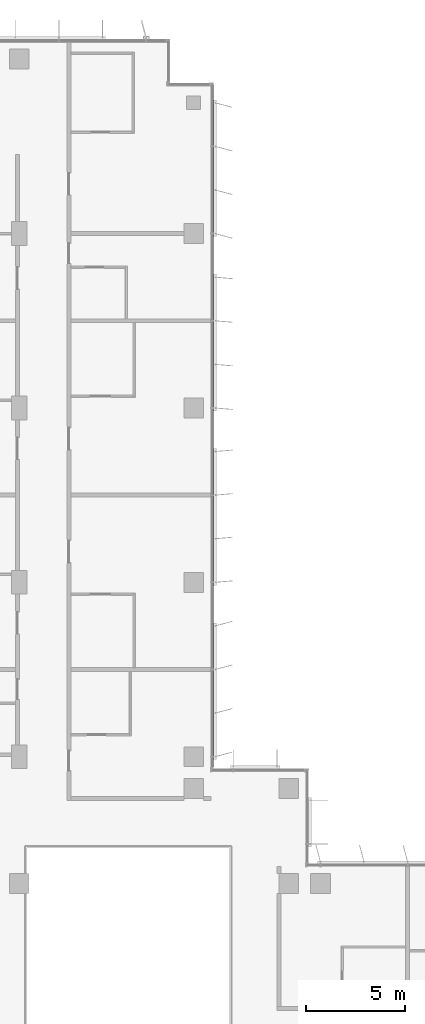
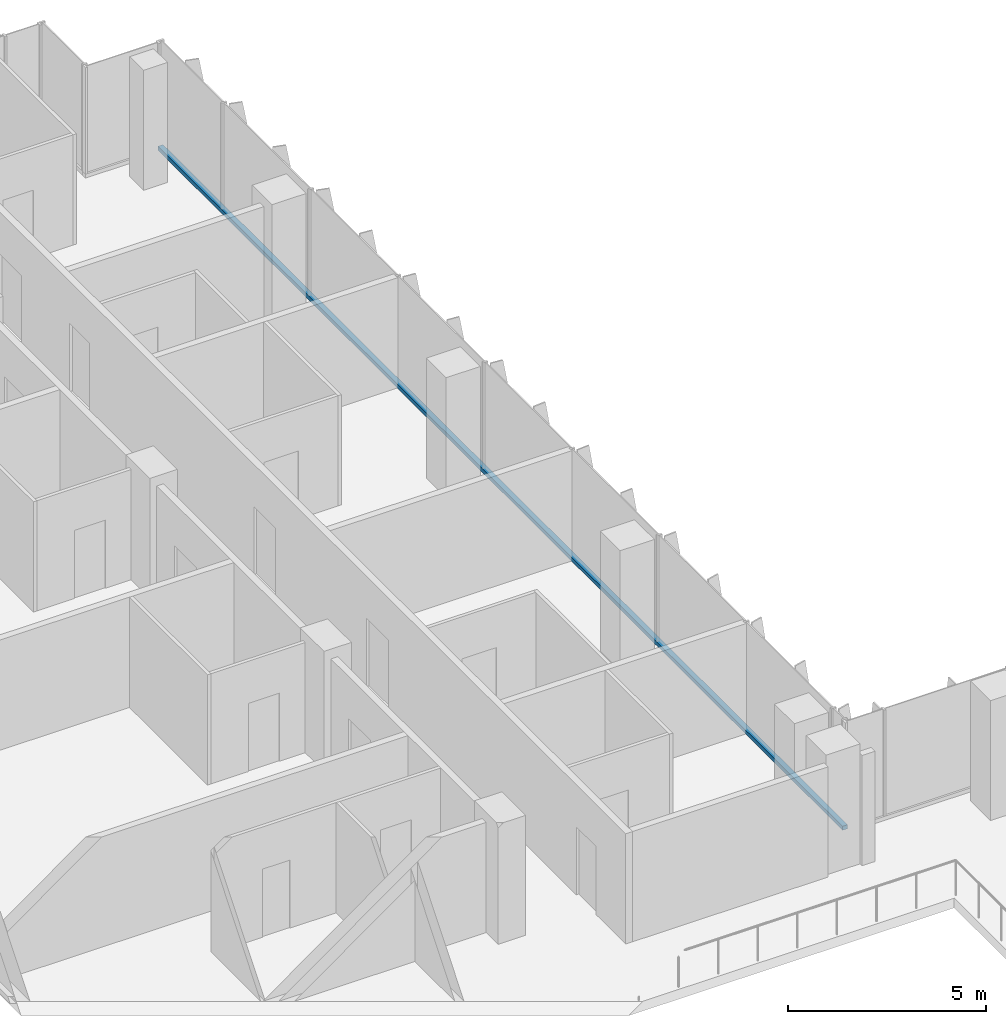
# One storey, part 6 of 20: 1 member, 1 element without a shape of its own.
"""IFC4 building model written with IfcOpenShell, lengths in metres."""

from ifc_helpers import new_model, si_unit, direction, frame, origin, origin_2d, place, context, subcontext, project, spatial, rectangle, extrude, material, material_profile, profile_set, type_object, element, aggregate, save


model = new_model("IFC4")

# Units and contexts
model_context = context("Model", 3, precision=1e-05, world=origin(), true_north=direction((0.0, 1.0)))
body_context = subcontext(model_context, "Body", "Model", "MODEL_VIEW")
ifc_project = project(units=[si_unit("LENGTHUNIT", "METRE"), si_unit("AREAUNIT", "SQUARE_METRE"), si_unit("VOLUMEUNIT", "CUBIC_METRE"), si_unit("PLANEANGLEUNIT", "RADIAN"), si_unit("MASSUNIT", "GRAM", prefix="KILO")], contexts=[model_context])

# Site, building, storey
site_placement = place(None, origin())
site = spatial("IfcSite", under=ifc_project, at=site_placement, CompositionType="ELEMENT")
building_placement = place(site_placement, origin())
building = spatial("IfcBuilding", under=site, at=building_placement, Name="Kemantara Hotel Tower", CompositionType="ELEMENT")
storey_placement = place(building_placement, frame((0.0, 0.0, 186.39990234375)))
storey = spatial("IfcBuildingStorey", under=building, at=storey_placement, Name="L46", CompositionType="ELEMENT", Elevation=186.39990234375)

# Curtain wall, member
ifc_material_1 = material(Name="Low-E tinted double insulated glass 36 mm", Category="glass")
curtain_wall_type = type_object("IfcCurtainWallType", Name="TOWER CURTAIN WALL, FRONT FACES", PredefinedType="USERDEFINED", material=ifc_material_1)
curtain_wall_placement = place(storey_placement, origin())
curtain_wall = element("IfcCurtainWall", 1, at=curtain_wall_placement, inside=storey, type_object=curtain_wall_type, Name="CW4 L46 T3-R17-1", ObjectType="TOWER CURTAIN WALL, FRONT FACES", PredefinedType="USERDEFINED")
ifc_material_2 = material(Name="Aluminium 6063-T6 bronze anodised", Category="aluminium")
ifc_material_profile = material_profile(ifc_material_2, rectangle(XDim=0.14990234375, YDim=0.1201171875, at=origin_2d()), Name="TOWER CURTAIN WALL, FRONT FACES TRANSOM")
ifc_profile_set = profile_set([ifc_material_profile], Name="Aluminium 6063-T6 bronze anodised")
member_type = type_object("IfcMemberType", Name="TOWER CURTAIN WALL, FRONT FACES TRANSOM", PredefinedType="USERDEFINED", material=ifc_profile_set)
member_placement = place(storey_placement, frame((21.925048828125, 26.800048828125, 0.06005859375), z_axis=(0.0, 1.0, 0.0), x_axis=(-1.0, 0.0, 0.0)))
member = element("IfcMember", 2, at=member_placement, type_object=member_type, Name="CW4 sill transom T3-R17-1", ObjectType="TRANSOM", PredefinedType="USERDEFINED", context=body_context, shape_type="SweptSolid", body=[
    extrude(rectangle(XDim=0.14990234375, YDim=0.1201171875, at=origin_2d()), origin(), (0.0, 0.0, 1.0), 34.599853515625),
])
aggregate(curtain_wall, [member])

save(model, "model.ifc")
